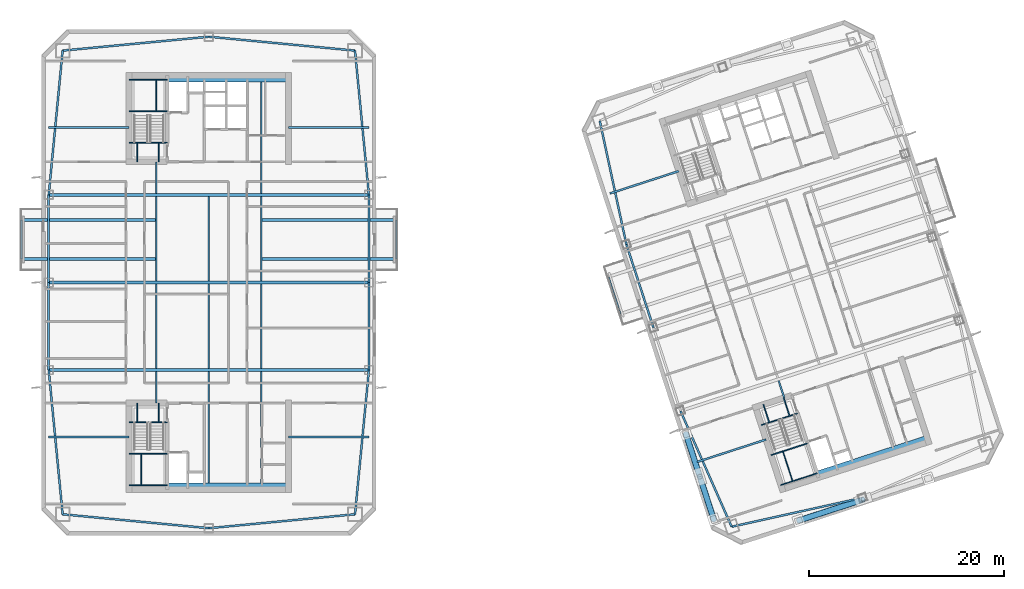
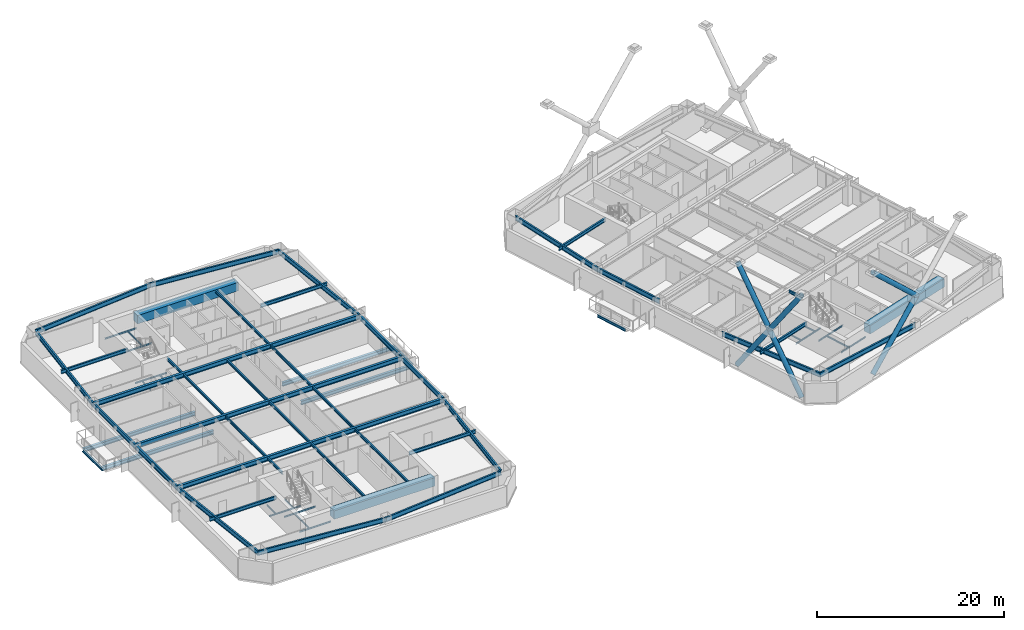
# One storey, part 3 of 18: 65 beams, 6 members.
"""IFC4 building model written with IfcOpenShell, lengths in metres."""

from ifc_helpers import new_model, si_unit, direction, frame, origin, origin_2d, place, context, subcontext, project, spatial, rectangle, hollow_circle, i_section, extrude, material, material_profile, profile_set, type_object, element, save


model = new_model("IFC4")

# Units and contexts
model_context = context("Model", 3, precision=1e-05, world=origin(), true_north=direction((0.0, 1.0)))
body_context = subcontext(model_context, "Body", "Model", "MODEL_VIEW")
ifc_project = project(units=[si_unit("LENGTHUNIT", "METRE"), si_unit("AREAUNIT", "SQUARE_METRE"), si_unit("VOLUMEUNIT", "CUBIC_METRE"), si_unit("PLANEANGLEUNIT", "RADIAN"), si_unit("MASSUNIT", "GRAM", prefix="KILO")], contexts=[model_context])

# Site, building, storey
site_placement = place(None, origin())
site = spatial("IfcSite", under=ifc_project, at=site_placement, CompositionType="ELEMENT")
building_placement = place(site_placement, origin())
building = spatial("IfcBuilding", under=site, at=building_placement, Name="Qiaolan Cultural Towers", CompositionType="ELEMENT")
storey_placement = place(building_placement, frame((0.0, 0.0, 163.300048828125)))
storey = spatial("IfcBuildingStorey", under=building, at=storey_placement, Name="L43", CompositionType="ELEMENT", Elevation=163.300048828125)

# Beams
ifc_material_1 = material(Name="Steel Q355B", Category="steel")
ifc_material_profile_1 = material_profile(ifc_material_1, i_section(OverallWidth=0.300048828125, OverallDepth=0.488037109375, WebThickness=0.010986328125, FlangeThickness=0.01806640625, at=origin_2d()), Name="HM488x300x11x18")
ifc_profile_set_1 = profile_set([ifc_material_profile_1], Name="Steel Q355B")
beam_type_1 = type_object("IfcBeamType", Name="BM-HM488x300x11x18", PredefinedType="BEAM", material=ifc_profile_set_1)
for number, where, z_axis, x_axis, name in (
    (1, (24.60009765625, 36.39990234375, -0.524169921875), (-1.0, 0.0, 0.0), (0.0, -1.0, 0.0), "L43 T1 Tree Balcony Back-Spanned Bracket Beam"),
    (2, (24.60009765625, 40.39990234375, -0.524169921875), (-1.0, 0.0, 0.0), (0.0, -1.0, 0.0), "L43 T1 Tree Balcony Back-Spanned Bracket Beam"),
    (3, (35.39990234375, 36.39990234375, -0.524169921875), (1.0, 0.0, 0.0), (0.0, 1.0, 0.0), "L43 T1 Tree Balcony Back-Spanned Bracket Beam"),
    (4, (35.39990234375, 40.39990234375, -0.524169921875), (1.0, 0.0, 0.0), (0.0, 1.0, 0.0), "L43 T1 Tree Balcony Back-Spanned Bracket Beam"),
):
    element("IfcBeam", number, at=place(storey_placement, frame(where, z_axis=z_axis, x_axis=x_axis)), inside=storey, type_object=beam_type_1, Name=name, PredefinedType="BEAM", context=body_context, shape_type="SweptSolid", body=[
        extrude(i_section(OverallWidth=0.300048828125, OverallDepth=0.488037109375, WebThickness=0.010986328125, FlangeThickness=0.01806640625, at=origin_2d()), origin(), (0.0, 0.0, 1.0), 13.85009765625),
    ])
ifc_material_2 = material(Name="Steel Q355B", Category="steel")
ifc_material_profile_2 = material_profile(ifc_material_2, i_section(OverallWidth=0.300048828125, OverallDepth=0.587890625, WebThickness=0.011962890625, FlangeThickness=0.02001953125, at=origin_2d()), Name="HM588x300x12x20")
ifc_profile_set_2 = profile_set([ifc_material_profile_2], Name="Steel Q355B")
beam_type_2 = type_object("IfcBeamType", Name="BM-HM588x300x12x20", PredefinedType="BEAM", material=ifc_profile_set_2)
for number, where, z_axis, x_axis, name in (
    (5, (13.550048828125, 25.0, 2.89599609375), (1.0, 0.0, 0.0), (0.0, 1.0, 0.0), "L43 T1 Primary Transverse Girder V1"),
    (6, (13.550048828125, 34.0, 2.89599609375), (1.0, 0.0, 0.0), (0.0, 1.0, 0.0), "L43 T1 Primary Transverse Girder V2"),
    (7, (13.550048828125, 43.0, 2.89599609375), (1.0, 0.0, 0.0), (0.0, 1.0, 0.0), "L43 T1 Primary Transverse Girder V3"),
):
    element("IfcBeam", number, at=place(storey_placement, frame(where, z_axis=z_axis, x_axis=x_axis)), inside=storey, type_object=beam_type_2, Name=name, PredefinedType="BEAM", context=body_context, shape_type="SweptSolid", body=[
        extrude(i_section(OverallWidth=0.300048828125, OverallDepth=0.587890625, WebThickness=0.011962890625, FlangeThickness=0.02001953125, at=origin_2d()), origin(), (0.0, 0.0, 1.0), 32.89990234375),
    ])
ifc_material_3 = material(Name="Steel Q355B", Category="steel")
ifc_material_profile_3 = material_profile(ifc_material_3, i_section(OverallWidth=0.175048828125, OverallDepth=0.35009765625, WebThickness=0.007080078125, FlangeThickness=0.010986328125, at=origin_2d()), Name="HN350x175x7x11")
ifc_profile_set_3 = profile_set([ifc_material_profile_3], Name="Steel Q355B")
beam_type_3 = type_object("IfcBeamType", Name="BM-JST-HN350x175x7x11", PredefinedType="JOIST", material=ifc_profile_set_3)
for number, where, z_axis, x_axis, name in (
    (8, (10.75, 36.39990234375, -0.524169921875), (0.0, 1.0, 0.0), (-1.0, 0.0, 0.0), "L43 T1 Tree Balcony Outer Edge Beam"),
    (9, (49.25, 36.39990234375, -0.524169921875), (0.0, 1.0, 0.0), (-1.0, 0.0, 0.0), "L43 T1 Tree Balcony Outer Edge Beam"),
    (10, (72.281982421875, 30.7666015625, -0.524169921875), (-0.309022586479, 0.951054699292, 0.0), (-0.951054699292, -0.309022586479, 0.0), "L43 T2 Tree Balcony Outer Edge Beam"),
):
    element("IfcBeam", number, at=place(storey_placement, frame(where, z_axis=z_axis, x_axis=x_axis)), inside=storey, type_object=beam_type_3, Name=name, PredefinedType="JOIST", context=body_context, shape_type="SweptSolid", body=[
        extrude(i_section(OverallWidth=0.175048828125, OverallDepth=0.35009765625, WebThickness=0.007080078125, FlangeThickness=0.010986328125, at=origin_2d()), origin(), (0.0, 0.0, 1.0), 4.0),
    ])
beam_1_placement = place(storey_placement, frame((24.60009765625, 21.60009765625, 3.014892578125), z_axis=(0.0, 1.0, 0.0), x_axis=(-1.0, 0.0, 0.0)))
element("IfcBeam", 11, at=beam_1_placement, inside=storey, type_object=beam_type_3, Name="L43 T1 Secondary Floor Joist U1-1", PredefinedType="JOIST", context=body_context, shape_type="SweptSolid", body=[
    extrude(i_section(OverallWidth=0.175048828125, OverallDepth=0.35009765625, WebThickness=0.007080078125, FlangeThickness=0.010986328125, at=origin_2d()), origin(), (0.0, 0.0, 1.0), 3.25),
])
for number, where, z_axis, x_axis, name in (
    (12, (24.60009765625, 25.14990234375, 3.014892578125), (0.0, 1.0, 0.0), (-1.0, 0.0, 0.0), "L43 T1 Secondary Floor Joist U1-2"),
    (13, (24.60009765625, 34.14990234375, 3.014892578125), (0.0, 1.0, 0.0), (-1.0, 0.0, 0.0), "L43 T1 Secondary Floor Joist U1-3"),
):
    element("IfcBeam", number, at=place(storey_placement, frame(where, z_axis=z_axis, x_axis=x_axis)), inside=storey, type_object=beam_type_3, Name=name, PredefinedType="JOIST", context=body_context, shape_type="SweptSolid", body=[
        extrude(i_section(OverallWidth=0.175048828125, OverallDepth=0.35009765625, WebThickness=0.007080078125, FlangeThickness=0.010986328125, at=origin_2d()), origin(), (0.0, 0.0, 1.0), 8.7001953125),
    ])
beam_2_placement = place(storey_placement, frame((24.60009765625, 43.14990234375, 3.014892578125), z_axis=(0.0, 1.0, 0.0), x_axis=(-1.0, 0.0, 0.0)))
element("IfcBeam", 14, at=beam_2_placement, inside=storey, type_object=beam_type_3, Name="L43 T1 Secondary Floor Joist U1-4", PredefinedType="JOIST", context=body_context, shape_type="SweptSolid", body=[
    extrude(i_section(OverallWidth=0.175048828125, OverallDepth=0.35009765625, WebThickness=0.007080078125, FlangeThickness=0.010986328125, at=origin_2d()), origin(), (0.0, 0.0, 1.0), 3.25),
])
beam_3_placement = place(storey_placement, frame((30.0, 13.39990234375, 3.014892578125), z_axis=(0.0, 1.0, 0.0), x_axis=(-1.0, 0.0, 0.0)))
element("IfcBeam", 15, at=beam_3_placement, inside=storey, type_object=beam_type_3, Name="L43 T1 Secondary Floor Joist U2-1", PredefinedType="JOIST", context=body_context, shape_type="SweptSolid", body=[
    extrude(i_section(OverallWidth=0.175048828125, OverallDepth=0.35009765625, WebThickness=0.007080078125, FlangeThickness=0.010986328125, at=origin_2d()), origin(), (0.0, 0.0, 1.0), 11.4501953125),
])
for number, where, z_axis, x_axis, name in (
    (16, (30.0, 25.14990234375, 3.014892578125), (0.0, 1.0, 0.0), (-1.0, 0.0, 0.0), "L43 T1 Secondary Floor Joist U2-2"),
    (17, (30.0, 34.14990234375, 3.014892578125), (0.0, 1.0, 0.0), (-1.0, 0.0, 0.0), "L43 T1 Secondary Floor Joist U2-3"),
):
    element("IfcBeam", number, at=place(storey_placement, frame(where, z_axis=z_axis, x_axis=x_axis)), inside=storey, type_object=beam_type_3, Name=name, PredefinedType="JOIST", context=body_context, shape_type="SweptSolid", body=[
        extrude(i_section(OverallWidth=0.175048828125, OverallDepth=0.35009765625, WebThickness=0.007080078125, FlangeThickness=0.010986328125, at=origin_2d()), origin(), (0.0, 0.0, 1.0), 8.7001953125),
    ])
beam_4_placement = place(storey_placement, frame((35.39990234375, 13.39990234375, 3.014892578125), z_axis=(0.0, 1.0, 0.0), x_axis=(-1.0, 0.0, 0.0)))
element("IfcBeam", 18, at=beam_4_placement, inside=storey, type_object=beam_type_3, Name="L43 T1 Secondary Floor Joist U3-1", PredefinedType="JOIST", context=body_context, shape_type="SweptSolid", body=[
    extrude(i_section(OverallWidth=0.175048828125, OverallDepth=0.35009765625, WebThickness=0.007080078125, FlangeThickness=0.010986328125, at=origin_2d()), origin(), (0.0, 0.0, 1.0), 11.4501953125),
])
for number, where, z_axis, x_axis, name in (
    (19, (35.39990234375, 25.14990234375, 3.014892578125), (0.0, 1.0, 0.0), (-1.0, 0.0, 0.0), "L43 T1 Secondary Floor Joist U3-2"),
    (20, (35.39990234375, 34.14990234375, 3.014892578125), (0.0, 1.0, 0.0), (-1.0, 0.0, 0.0), "L43 T1 Secondary Floor Joist U3-3"),
):
    element("IfcBeam", number, at=place(storey_placement, frame(where, z_axis=z_axis, x_axis=x_axis)), inside=storey, type_object=beam_type_3, Name=name, PredefinedType="JOIST", context=body_context, shape_type="SweptSolid", body=[
        extrude(i_section(OverallWidth=0.175048828125, OverallDepth=0.35009765625, WebThickness=0.007080078125, FlangeThickness=0.010986328125, at=origin_2d()), origin(), (0.0, 0.0, 1.0), 8.7001953125),
    ])
beam_5_placement = place(storey_placement, frame((35.39990234375, 43.14990234375, 3.014892578125), z_axis=(0.0, 1.0, 0.0), x_axis=(-1.0, 0.0, 0.0)))
element("IfcBeam", 21, at=beam_5_placement, inside=storey, type_object=beam_type_3, Name="L43 T1 Secondary Floor Joist U3-4", PredefinedType="JOIST", context=body_context, shape_type="SweptSolid", body=[
    extrude(i_section(OverallWidth=0.175048828125, OverallDepth=0.35009765625, WebThickness=0.007080078125, FlangeThickness=0.010986328125, at=origin_2d()), origin(), (0.0, 0.0, 1.0), 11.4501953125),
])
beam_6_placement = place(storey_placement, frame((89.119384765625, 22.147705078125, 3.014892578125), z_axis=(-0.308933885266, 0.951083516067, 0.0), x_axis=(-0.951083516067, -0.308933885266, 0.0)))
element("IfcBeam", 22, at=beam_6_placement, inside=storey, type_object=beam_type_3, Name="L43 T2 Secondary Floor Joist U1-1", PredefinedType="JOIST", context=body_context, shape_type="SweptSolid", body=[
    extrude(i_section(OverallWidth=0.175048828125, OverallDepth=0.35009765625, WebThickness=0.007080078125, FlangeThickness=0.010986328125, at=origin_2d()), origin(), (0.0, 0.0, 1.0), 1.85009765625),
])
ifc_material_4 = material(Name="Steel Q355B", Category="steel")
ifc_material_profile_4 = material_profile(ifc_material_4, i_section(OverallWidth=0.199951171875, OverallDepth=0.449951171875, WebThickness=0.009033203125, FlangeThickness=0.013916015625, at=origin_2d()), Name="HN450x200x9x14")
ifc_profile_set_4 = profile_set([ifc_material_profile_4], Name="Steel Q355B")
beam_type_4 = type_object("IfcBeamType", Name="BM-LNT-HN450x200x9x14", PredefinedType="LINTEL", material=ifc_profile_set_4)
for number, where, z_axis, x_axis, name in (
    (23, (21.800048828125, 18.10009765625, 2.96484375), (-1.0, 0.0, 0.0), (0.0, -1.0, 0.0), "L43 T1 Core Flank Tie Lintel WS"),
    (24, (21.800048828125, 49.89990234375, 2.96484375), (-1.0, 0.0, 0.0), (0.0, -1.0, 0.0), "L43 T1 Core Flank Tie Lintel WN"),
    (25, (38.199951171875, 18.10009765625, 2.96484375), (1.0, 0.0, 0.0), (0.0, 1.0, 0.0), "L43 T1 Core Flank Tie Lintel ES"),
    (26, (38.199951171875, 49.89990234375, 2.96484375), (1.0, 0.0, 0.0), (0.0, 1.0, 0.0), "L43 T1 Core Flank Tie Lintel EN"),
):
    element("IfcBeam", number, at=place(storey_placement, frame(where, z_axis=z_axis, x_axis=x_axis)), inside=storey, type_object=beam_type_4, Name=name, PredefinedType="LINTEL", context=body_context, shape_type="SweptSolid", body=[
        extrude(i_section(OverallWidth=0.199951171875, OverallDepth=0.449951171875, WebThickness=0.009033203125, FlangeThickness=0.013916015625, at=origin_2d()), origin(), (0.0, 0.0, 1.0), 8.25),
    ])
beam_7_placement = place(storey_placement, frame((87.252685546875, 17.861083984375, 2.96484375), z_axis=(-0.951064407856, -0.308992705592, 0.0), x_axis=(0.308992705592, -0.951064407856, 0.0)))
element("IfcBeam", 27, at=beam_7_placement, inside=storey, type_object=beam_type_4, Name="L43 T2 Core Flank Tie Lintel WS", PredefinedType="LINTEL", context=body_context, shape_type="SweptSolid", body=[
    extrude(i_section(OverallWidth=0.199951171875, OverallDepth=0.449951171875, WebThickness=0.009033203125, FlangeThickness=0.013916015625, at=origin_2d()), origin(), (0.0, 0.0, 1.0), 7.449951171875),
])
beam_8_placement = place(storey_placement, frame((78.291259765625, 45.44189453125, 2.96484375), z_axis=(-0.951054777171, -0.309022346796, 0.0), x_axis=(0.309022346796, -0.951054777171, 0.0)))
element("IfcBeam", 28, at=beam_8_placement, inside=storey, type_object=beam_type_4, Name="L43 T2 Core Flank Tie Lintel WN", PredefinedType="LINTEL", context=body_context, shape_type="SweptSolid", body=[
    extrude(i_section(OverallWidth=0.199951171875, OverallDepth=0.449951171875, WebThickness=0.009033203125, FlangeThickness=0.013916015625, at=origin_2d()), origin(), (0.0, 0.0, 1.0), 7.4501953125),
])
ifc_material_5 = material(Name="Concrete C50", Category="concrete")
ifc_material_profile_5 = material_profile(ifc_material_5, rectangle(XDim=0.89990234375, YDim=1.10009765625, at=origin_2d()), Name="RC900x1100")
ifc_profile_set_5 = profile_set([ifc_material_profile_5], Name="Concrete C50")
beam_type_5 = type_object("IfcBeamType", Name="BM-RC900x1100", PredefinedType="BEAM", material=ifc_profile_set_5)
for number, where, z_axis, x_axis, name in (
    (29, (25.719970703125, 12.949951171875, 2.639892578125), (1.0, 0.0, 0.0), (0.0, 1.0, 0.0), "L43 T1 Core Header Girder S"),
    (30, (25.719970703125, 55.050048828125, 2.639892578125), (1.0, 0.0, 0.0), (0.0, 1.0, 0.0), "L43 T1 Core Header Girder N"),
):
    element("IfcBeam", number, at=place(storey_placement, frame(where, z_axis=z_axis, x_axis=x_axis)), inside=storey, type_object=beam_type_5, Name=name, PredefinedType="BEAM", context=body_context, shape_type="SweptSolid", body=[
        extrude(rectangle(XDim=0.89990234375, YDim=1.10009765625, at=origin_2d()), origin(), (0.0, 0.0, 1.0), 12.47998046875),
    ])
beam_9_placement = place(storey_placement, frame((92.572265625, 14.174560546875, 2.639892578125), z_axis=(0.951056266386, 0.309017763514, 0.0), x_axis=(-0.309017763514, 0.951056266386, 0.0)))
element("IfcBeam", 31, at=beam_9_placement, inside=storey, type_object=beam_type_5, Name="L43 T2 Core Header Girder S", PredefinedType="BEAM", context=body_context, shape_type="SweptSolid", body=[
    extrude(rectangle(XDim=0.89990234375, YDim=1.10009765625, at=origin_2d()), origin(), (0.0, 0.0, 1.0), 11.880126953125),
])
ifc_material_6 = material(Name="Steel Q355B", Category="steel")
ifc_material_profile_6 = material_profile(ifc_material_6, i_section(OverallWidth=0.199951171875, OverallDepth=0.60009765625, WebThickness=0.010986328125, FlangeThickness=0.01708984375, at=origin_2d()), Name="HN600x200x11x17")
ifc_profile_set_6 = profile_set([ifc_material_profile_6], Name="Steel Q355B")
beam_type_6 = type_object("IfcBeamType", Name="BM-SPD-HN600x200x11x17", PredefinedType="SPANDREL", material=ifc_profile_set_6)
for number, where, z_axis, x_axis, name in (
    (32, (14.97998046875, 10.179931640625, 2.889892578125), (0.995498889995, -0.094773203061, 0.0), (0.094773203061, 0.995498889995, 0.0), "L43 T1 Perimeter Spandrel Beam 1"),
    (33, (30.0, 8.75, 2.889892578125), (0.995498889995, 0.094773203061, 0.0), (-0.094773203061, 0.995498889995, 0.0), "L43 T1 Perimeter Spandrel Beam 2"),
):
    element("IfcBeam", number, at=place(storey_placement, frame(where, z_axis=z_axis, x_axis=x_axis)), inside=storey, type_object=beam_type_6, Name=name, PredefinedType="SPANDREL", context=body_context, shape_type="SweptSolid", body=[
        extrude(i_section(OverallWidth=0.199951171875, OverallDepth=0.60009765625, WebThickness=0.010986328125, FlangeThickness=0.01708984375, at=origin_2d()), origin(), (0.0, 0.0, 1.0), 15.087890625),
    ])
beam_10_placement = place(storey_placement, frame((45.02001953125, 10.179931640625, 2.889892578125), z_axis=(0.096040159186, 0.995377459974, 0.0), x_axis=(-0.995377459974, 0.096040159186, 0.0)))
element("IfcBeam", 34, at=beam_10_placement, inside=storey, type_object=beam_type_6, Name="L43 T1 Perimeter Spandrel Beam 3", PredefinedType="SPANDREL", context=body_context, shape_type="SweptSolid", body=[
    extrude(i_section(OverallWidth=0.199951171875, OverallDepth=0.60009765625, WebThickness=0.010986328125, FlangeThickness=0.01708984375, at=origin_2d()), origin(), (0.0, 0.0, 1.0), 14.888916015625),
])
for number, where, z_axis, x_axis, name in (
    (35, (46.449951171875, 25.0, 2.889892578125), (0.0, 1.0, 0.0), (-1.0, 0.0, 0.0), "L43 T1 Perimeter Spandrel Beam 4"),
    (36, (46.449951171875, 34.0, 2.889892578125), (0.0, 1.0, 0.0), (-1.0, 0.0, 0.0), "L43 T1 Perimeter Spandrel Beam 5"),
):
    element("IfcBeam", number, at=place(storey_placement, frame(where, z_axis=z_axis, x_axis=x_axis)), inside=storey, type_object=beam_type_6, Name=name, PredefinedType="SPANDREL", context=body_context, shape_type="SweptSolid", body=[
        extrude(i_section(OverallWidth=0.199951171875, OverallDepth=0.60009765625, WebThickness=0.010986328125, FlangeThickness=0.01708984375, at=origin_2d()), origin(), (0.0, 0.0, 1.0), 9.0),
    ])
beam_11_placement = place(storey_placement, frame((46.449951171875, 43.0, 2.889892578125), z_axis=(-0.096040159186, 0.995377459974, 0.0), x_axis=(-0.995377459974, -0.096040159186, 0.0)))
element("IfcBeam", 37, at=beam_11_placement, inside=storey, type_object=beam_type_6, Name="L43 T1 Perimeter Spandrel Beam 6", PredefinedType="SPANDREL", context=body_context, shape_type="SweptSolid", body=[
    extrude(i_section(OverallWidth=0.199951171875, OverallDepth=0.60009765625, WebThickness=0.010986328125, FlangeThickness=0.01708984375, at=origin_2d()), origin(), (0.0, 0.0, 1.0), 14.888916015625),
])
for number, where, z_axis, x_axis, name in (
    (38, (45.02001953125, 57.820068359375, 2.889892578125), (-0.995498889995, 0.094773203061, 0.0), (-0.094773203061, -0.995498889995, 0.0), "L43 T1 Perimeter Spandrel Beam 7"),
    (39, (30.0, 59.25, 2.889892578125), (-0.995498889995, -0.094773203061, 0.0), (0.094773203061, -0.995498889995, 0.0), "L43 T1 Perimeter Spandrel Beam 8"),
):
    element("IfcBeam", number, at=place(storey_placement, frame(where, z_axis=z_axis, x_axis=x_axis)), inside=storey, type_object=beam_type_6, Name=name, PredefinedType="SPANDREL", context=body_context, shape_type="SweptSolid", body=[
        extrude(i_section(OverallWidth=0.199951171875, OverallDepth=0.60009765625, WebThickness=0.010986328125, FlangeThickness=0.01708984375, at=origin_2d()), origin(), (0.0, 0.0, 1.0), 15.087890625),
    ])
beam_12_placement = place(storey_placement, frame((14.97998046875, 57.820068359375, 2.889892578125), z_axis=(-0.096040159186, -0.995377459974, 0.0), x_axis=(0.995377459974, -0.096040159186, 0.0)))
element("IfcBeam", 40, at=beam_12_placement, inside=storey, type_object=beam_type_6, Name="L43 T1 Perimeter Spandrel Beam 9", PredefinedType="SPANDREL", context=body_context, shape_type="SweptSolid", body=[
    extrude(i_section(OverallWidth=0.199951171875, OverallDepth=0.60009765625, WebThickness=0.010986328125, FlangeThickness=0.01708984375, at=origin_2d()), origin(), (0.0, 0.0, 1.0), 14.888916015625),
])
for number, where, z_axis, x_axis, name in (
    (41, (13.550048828125, 43.0, 2.889892578125), (0.0, -1.0, 0.0), (1.0, 0.0, 0.0), "L43 T1 Perimeter Spandrel Beam 10"),
    (42, (13.550048828125, 34.0, 2.889892578125), (0.0, -1.0, 0.0), (1.0, 0.0, 0.0), "L43 T1 Perimeter Spandrel Beam 11"),
):
    element("IfcBeam", number, at=place(storey_placement, frame(where, z_axis=z_axis, x_axis=x_axis)), inside=storey, type_object=beam_type_6, Name=name, PredefinedType="SPANDREL", context=body_context, shape_type="SweptSolid", body=[
        extrude(i_section(OverallWidth=0.199951171875, OverallDepth=0.60009765625, WebThickness=0.010986328125, FlangeThickness=0.01708984375, at=origin_2d()), origin(), (0.0, 0.0, 1.0), 9.0),
    ])
beam_13_placement = place(storey_placement, frame((13.550048828125, 25.0, 2.889892578125), z_axis=(0.096040159186, -0.995377459974, 0.0), x_axis=(0.995377459974, 0.096040159186, 0.0)))
element("IfcBeam", 43, at=beam_13_placement, inside=storey, type_object=beam_type_6, Name="L43 T1 Perimeter Spandrel Beam 12", PredefinedType="SPANDREL", context=body_context, shape_type="SweptSolid", body=[
    extrude(i_section(OverallWidth=0.199951171875, OverallDepth=0.60009765625, WebThickness=0.010986328125, FlangeThickness=0.01708984375, at=origin_2d()), origin(), (0.0, 0.0, 1.0), 14.888916015625),
])
beam_14_placement = place(storey_placement, frame((83.71875, 8.900634765625, 2.889892578125), z_axis=(0.976265293399, 0.216578108094, 0.0), x_axis=(-0.216578108094, 0.976265293399, 0.0)))
element("IfcBeam", 44, at=beam_14_placement, inside=storey, type_object=beam_type_6, Name="L43 T2 Perimeter Spandrel Beam 1", PredefinedType="SPANDREL", context=body_context, shape_type="SweptSolid", body=[
    extrude(i_section(OverallWidth=0.199951171875, OverallDepth=0.60009765625, WebThickness=0.010986328125, FlangeThickness=0.01708984375, at=origin_2d()), origin(), (0.0, 0.0, 1.0), 13.793212890625),
])
beam_15_placement = place(storey_placement, frame((70.165283203125, 50.61376953125, 2.889892578125), z_axis=(0.210832241173, -0.977522258612, 0.0), x_axis=(0.977522258612, 0.210832241173, 0.0)))
element("IfcBeam", 45, at=beam_15_placement, inside=storey, type_object=beam_type_6, Name="L43 T2 Perimeter Spandrel Beam 9", PredefinedType="SPANDREL", context=body_context, shape_type="SweptSolid", body=[
    extrude(i_section(OverallWidth=0.199951171875, OverallDepth=0.60009765625, WebThickness=0.010986328125, FlangeThickness=0.01708984375, at=origin_2d()), origin(), (0.0, 0.0, 1.0), 12.997314453125),
])
beam_16_placement = place(storey_placement, frame((72.905517578125, 37.90869140625, 2.889892578125), z_axis=(0.309008170129, -0.951059383421, 0.0), x_axis=(0.951059383421, 0.309008170129, 0.0)))
element("IfcBeam", 46, at=beam_16_placement, inside=storey, type_object=beam_type_6, Name="L43 T2 Perimeter Spandrel Beam 10", PredefinedType="SPANDREL", context=body_context, shape_type="SweptSolid", body=[
    extrude(i_section(OverallWidth=0.199951171875, OverallDepth=0.60009765625, WebThickness=0.010986328125, FlangeThickness=0.01708984375, at=origin_2d()), origin(), (0.0, 0.0, 1.0), 8.999755859375),
])
beam_17_placement = place(storey_placement, frame((78.4677734375, 20.789794921875, 2.889892578125), z_axis=(0.404011070002, -0.914754095545, 0.0), x_axis=(0.914754095545, 0.404011070002, 0.0)))
element("IfcBeam", 47, at=beam_17_placement, inside=storey, type_object=beam_type_6, Name="L43 T2 Perimeter Spandrel Beam 12", PredefinedType="SPANDREL", context=body_context, shape_type="SweptSolid", body=[
    extrude(i_section(OverallWidth=0.199951171875, OverallDepth=0.60009765625, WebThickness=0.010986328125, FlangeThickness=0.01708984375, at=origin_2d()), origin(), (0.0, 0.0, 1.0), 12.9970703125),
])
ifc_material_7 = material(Name="Steel Q355B", Category="steel")
ifc_material_profile_7 = material_profile(ifc_material_7, i_section(OverallWidth=0.10009765625, OverallDepth=0.199951171875, WebThickness=0.005615234375, FlangeThickness=0.008056640625, at=origin_2d()), Name="HN200x100x5.5x8")
ifc_profile_set_7 = profile_set([ifc_material_profile_7], Name="Steel Q355B")
beam_type_7 = type_object("IfcBeamType", Name="BM-STTRIM-200", PredefinedType="BEAM", material=ifc_profile_set_7)
beam_18_placement = place(storey_placement, frame((21.800048828125, 19.659912109375, -0.4599609375), z_axis=(1.0, 0.0, 0.0), x_axis=(0.0, 1.0, 0.0)))
element("IfcBeam", 48, at=beam_18_placement, inside=storey, type_object=beam_type_7, Name="L43 ST-W1 Floor Landing Header Beam", PredefinedType="BEAM", context=body_context, shape_type="SweptSolid", body=[
    extrude(i_section(OverallWidth=0.10009765625, OverallDepth=0.199951171875, WebThickness=0.005615234375, FlangeThickness=0.008056640625, at=origin_2d()), origin(), (0.0, 0.0, 1.0), 3.919921875),
])
for number, where, z_axis, x_axis, name in (
    (49, (22.64990234375, 21.60009765625, -0.4599609375), (0.0, -1.0, 0.0), (1.0, 0.0, 0.0), "L43 ST-W1 Floor Landing Stringer 1"),
    (50, (24.85009765625, 21.60009765625, -0.4599609375), (0.0, -1.0, 0.0), (1.0, 0.0, 0.0), "L43 ST-W1 Floor Landing Stringer 2"),
):
    element("IfcBeam", number, at=place(storey_placement, frame(where, z_axis=z_axis, x_axis=x_axis)), inside=storey, type_object=beam_type_7, Name=name, PredefinedType="BEAM", context=body_context, shape_type="SweptSolid", body=[
        extrude(i_section(OverallWidth=0.10009765625, OverallDepth=0.199951171875, WebThickness=0.005615234375, FlangeThickness=0.008056640625, at=origin_2d()), origin(), (0.0, 0.0, 1.0), 1.940185546875),
    ])
for number, where, z_axis, x_axis, name in (
    (51, (21.800048828125, 16.411376953125, 1.425048828125), (1.0, 0.0, 0.0), (0.0, 1.0, 0.0), "L43 ST-W1 Stair Landing Support Beam 1-1"),
    (52, (21.800048828125, 13.179931640625, 1.425048828125), (1.0, 0.0, 0.0), (0.0, 1.0, 0.0), "L43 ST-W1 Stair Landing Support Beam 1-2"),
):
    element("IfcBeam", number, at=place(storey_placement, frame(where, z_axis=z_axis, x_axis=x_axis)), inside=storey, type_object=beam_type_7, Name=name, PredefinedType="BEAM", context=body_context, shape_type="SweptSolid", body=[
        extrude(i_section(OverallWidth=0.10009765625, OverallDepth=0.199951171875, WebThickness=0.005615234375, FlangeThickness=0.008056640625, at=origin_2d()), origin(), (0.0, 0.0, 1.0), 3.919921875),
    ])
beam_19_placement = place(storey_placement, frame((23.070068359375, 16.411376953125, 1.425048828125), z_axis=(0.0, -1.0, 0.0), x_axis=(1.0, 0.0, 0.0)))
element("IfcBeam", 53, at=beam_19_placement, inside=storey, type_object=beam_type_7, Name="L43 ST-W1 Stair Landing Trimmer 1", PredefinedType="BEAM", context=body_context, shape_type="SweptSolid", body=[
    extrude(i_section(OverallWidth=0.10009765625, OverallDepth=0.199951171875, WebThickness=0.005615234375, FlangeThickness=0.008056640625, at=origin_2d()), origin(), (0.0, 0.0, 1.0), 3.2314453125),
])
beam_20_placement = place(storey_placement, frame((21.800048828125, 48.340087890625, -0.4599609375), z_axis=(1.0, 0.0, 0.0), x_axis=(0.0, 1.0, 0.0)))
element("IfcBeam", 54, at=beam_20_placement, inside=storey, type_object=beam_type_7, Name="L43 ST-W2 Floor Landing Header Beam", PredefinedType="BEAM", context=body_context, shape_type="SweptSolid", body=[
    extrude(i_section(OverallWidth=0.10009765625, OverallDepth=0.199951171875, WebThickness=0.005615234375, FlangeThickness=0.008056640625, at=origin_2d()), origin(), (0.0, 0.0, 1.0), 3.919921875),
])
for number, where, z_axis, x_axis, name in (
    (55, (22.64990234375, 46.39990234375, -0.4599609375), (0.0, 1.0, 0.0), (-1.0, 0.0, 0.0), "L43 ST-W2 Floor Landing Stringer 1"),
    (56, (24.85009765625, 46.39990234375, -0.4599609375), (0.0, 1.0, 0.0), (-1.0, 0.0, 0.0), "L43 ST-W2 Floor Landing Stringer 2"),
):
    element("IfcBeam", number, at=place(storey_placement, frame(where, z_axis=z_axis, x_axis=x_axis)), inside=storey, type_object=beam_type_7, Name=name, PredefinedType="BEAM", context=body_context, shape_type="SweptSolid", body=[
        extrude(i_section(OverallWidth=0.10009765625, OverallDepth=0.199951171875, WebThickness=0.005615234375, FlangeThickness=0.008056640625, at=origin_2d()), origin(), (0.0, 0.0, 1.0), 1.940185546875),
    ])
for number, where, z_axis, x_axis, name in (
    (57, (21.800048828125, 51.588623046875, 1.425048828125), (1.0, 0.0, 0.0), (0.0, 1.0, 0.0), "L43 ST-W2 Stair Landing Support Beam 1-1"),
    (58, (21.800048828125, 54.820068359375, 1.425048828125), (1.0, 0.0, 0.0), (0.0, 1.0, 0.0), "L43 ST-W2 Stair Landing Support Beam 1-2"),
):
    element("IfcBeam", number, at=place(storey_placement, frame(where, z_axis=z_axis, x_axis=x_axis)), inside=storey, type_object=beam_type_7, Name=name, PredefinedType="BEAM", context=body_context, shape_type="SweptSolid", body=[
        extrude(i_section(OverallWidth=0.10009765625, OverallDepth=0.199951171875, WebThickness=0.005615234375, FlangeThickness=0.008056640625, at=origin_2d()), origin(), (0.0, 0.0, 1.0), 3.919921875),
    ])
beam_21_placement = place(storey_placement, frame((24.610107421875, 51.588623046875, 1.425048828125), z_axis=(0.0, 1.0, 0.0), x_axis=(-1.0, 0.0, 0.0)))
element("IfcBeam", 59, at=beam_21_placement, inside=storey, type_object=beam_type_7, Name="L43 ST-W2 Stair Landing Trimmer 1", PredefinedType="BEAM", context=body_context, shape_type="SweptSolid", body=[
    extrude(i_section(OverallWidth=0.10009765625, OverallDepth=0.199951171875, WebThickness=0.005615234375, FlangeThickness=0.008056640625, at=origin_2d()), origin(), (0.0, 0.0, 1.0), 3.2314453125),
])
beam_22_placement = place(storey_placement, frame((86.770751953125, 19.3447265625, -0.4599609375), z_axis=(0.951047798727, 0.309043823005, 0.0), x_axis=(-0.309043823005, 0.951047798727, 0.0)))
element("IfcBeam", 60, at=beam_22_placement, inside=storey, type_object=beam_type_7, Name="L43 ST-E1 Floor Landing Header Beam", PredefinedType="BEAM", context=body_context, shape_type="SweptSolid", body=[
    extrude(i_section(OverallWidth=0.10009765625, OverallDepth=0.199951171875, WebThickness=0.005615234375, FlangeThickness=0.008056640625, at=origin_2d()), origin(), (0.0, 0.0, 1.0), 3.919921875),
])
for number, where, z_axis, x_axis, name in (
    (61, (86.9794921875, 21.452392578125, -0.4599609375), (0.309083226701, -0.951034993558, 0.0), (0.951034993558, 0.309083226701, 0.0), "L43 ST-E1 Floor Landing Stringer 1"),
    (62, (89.07177734375, 22.13232421875, -0.4599609375), (0.309083226701, -0.951034993558, 0.0), (0.951034993558, 0.309083226701, 0.0), "L43 ST-E1 Floor Landing Stringer 2"),
):
    element("IfcBeam", number, at=place(storey_placement, frame(where, z_axis=z_axis, x_axis=x_axis)), inside=storey, type_object=beam_type_7, Name=name, PredefinedType="BEAM", context=body_context, shape_type="SweptSolid", body=[
        extrude(i_section(OverallWidth=0.10009765625, OverallDepth=0.199951171875, WebThickness=0.005615234375, FlangeThickness=0.008056640625, at=origin_2d()), origin(), (0.0, 0.0, 1.0), 1.93994140625),
    ])
for number, where, z_axis, x_axis, name in (
    (63, (87.774658203125, 16.255126953125, 1.425048828125), (0.951047798727, 0.309043823005, 0.0), (-0.309043823005, 0.951047798727, 0.0), "L43 ST-E1 Stair Landing Support Beam 1-1"),
    (64, (88.773193359375, 13.181884765625, 1.425048828125), (0.951047798727, 0.309043823005, 0.0), (-0.309043823005, 0.951047798727, 0.0), "L43 ST-E1 Stair Landing Support Beam 1-2"),
):
    element("IfcBeam", number, at=place(storey_placement, frame(where, z_axis=z_axis, x_axis=x_axis)), inside=storey, type_object=beam_type_7, Name=name, PredefinedType="BEAM", context=body_context, shape_type="SweptSolid", body=[
        extrude(i_section(OverallWidth=0.10009765625, OverallDepth=0.199951171875, WebThickness=0.005615234375, FlangeThickness=0.008056640625, at=origin_2d()), origin(), (0.0, 0.0, 1.0), 3.919921875),
    ])
beam_23_placement = place(storey_placement, frame((88.982421875, 16.6474609375, 1.425048828125), z_axis=(0.309033108495, -0.951051280349, 0.0), x_axis=(0.951051280349, 0.309033108495, 0.0)))
element("IfcBeam", 65, at=beam_23_placement, inside=storey, type_object=beam_type_7, Name="L43 ST-E1 Stair Landing Trimmer 1", PredefinedType="BEAM", context=body_context, shape_type="SweptSolid", body=[
    extrude(i_section(OverallWidth=0.10009765625, OverallDepth=0.199951171875, WebThickness=0.005615234375, FlangeThickness=0.008056640625, at=origin_2d()), origin(), (0.0, 0.0, 1.0), 3.231201171875),
])

# Members
ifc_material_8 = material(Name="Steel Q355B", Category="steel")
ifc_material_profile_8 = material_profile(ifc_material_8, hollow_circle(Radius=0.300048828125, WallThickness=0.030029296875, at=origin_2d()), Name="CHS600x30")
ifc_profile_set_8 = profile_set([ifc_material_profile_8], Name="Steel Q355B")
member_type = type_object("IfcMemberType", Name="MBR-BRC-CHS600x30", PredefinedType="BRACE", material=ifc_profile_set_8)
for number, where, z_axis, x_axis, name in (
    (66, (81.877685546875, 9.648193359375, 0.14990234375), (-0.175992557222, 0.541656628538, 0.821970021694), (-0.951057728941, -0.309013262209, 0.0), "T2 WEST Perimeter Frame Diagonal E-Z3-M3-D1A"),
    (67, (80.448486328125, 14.046875, 6.824951171875), (-0.175992557222, 0.541656628538, 0.821970021694), (-0.951057728941, -0.309013262209, 0.0), "T2 WEST Perimeter Frame Diagonal E-Z3-M3-D1B"),
    (68, (79.019287109375, 18.445556640625, 0.14990234375), (0.175992557222, -0.541656628538, 0.821970021694), (0.951057728941, 0.309013262209, 0.0), "T2 WEST Perimeter Frame Diagonal E-Z3-M3-D2A"),
    (69, (80.448486328125, 14.046875, 6.824951171875), (0.175992557222, -0.541656628538, 0.821970021694), (0.951057728941, 0.309013262209, 0.0), "T2 WEST Perimeter Frame Diagonal E-Z3-M3-D2B"),
):
    element("IfcMember", number, at=place(storey_placement, frame(where, z_axis=z_axis, x_axis=x_axis)), inside=storey, type_object=member_type, Name=name, PredefinedType="BRACE", context=body_context, shape_type="SweptSolid", body=[
        extrude(hollow_circle(Radius=0.300048828125, WallThickness=0.030029296875, at=origin_2d()), origin(), (0.0, 0.0, 1.0), 8.120849609375),
    ])
for number, where, z_axis, x_axis, name in (
    (70, (90.589111328125, 9.53466796875, 0.14990234375), (0.688275686288, 0.223636591628, 0.690118290259), (-0.309019824916, 0.951055596592, 0.0), "T2 SOUTH Perimeter Frame Diagonal E-Z3-M3-D1A"),
    (71, (97.246337890625, 11.69775390625, 6.824951171875), (-0.688275686288, -0.223636591628, 0.690118290259), (0.309019824916, -0.951055596592, 0.0), "T2 SOUTH Perimeter Frame Diagonal E-Z3-M3-D2B"),
):
    element("IfcMember", number, at=place(storey_placement, frame(where, z_axis=z_axis, x_axis=x_axis)), inside=storey, type_object=member_type, Name=name, PredefinedType="BRACE", context=body_context, shape_type="SweptSolid", body=[
        extrude(hollow_circle(Radius=0.300048828125, WallThickness=0.030029296875, at=origin_2d()), origin(), (0.0, 0.0, 1.0), 9.67236328125),
    ])

save(model, "model.ifc")
